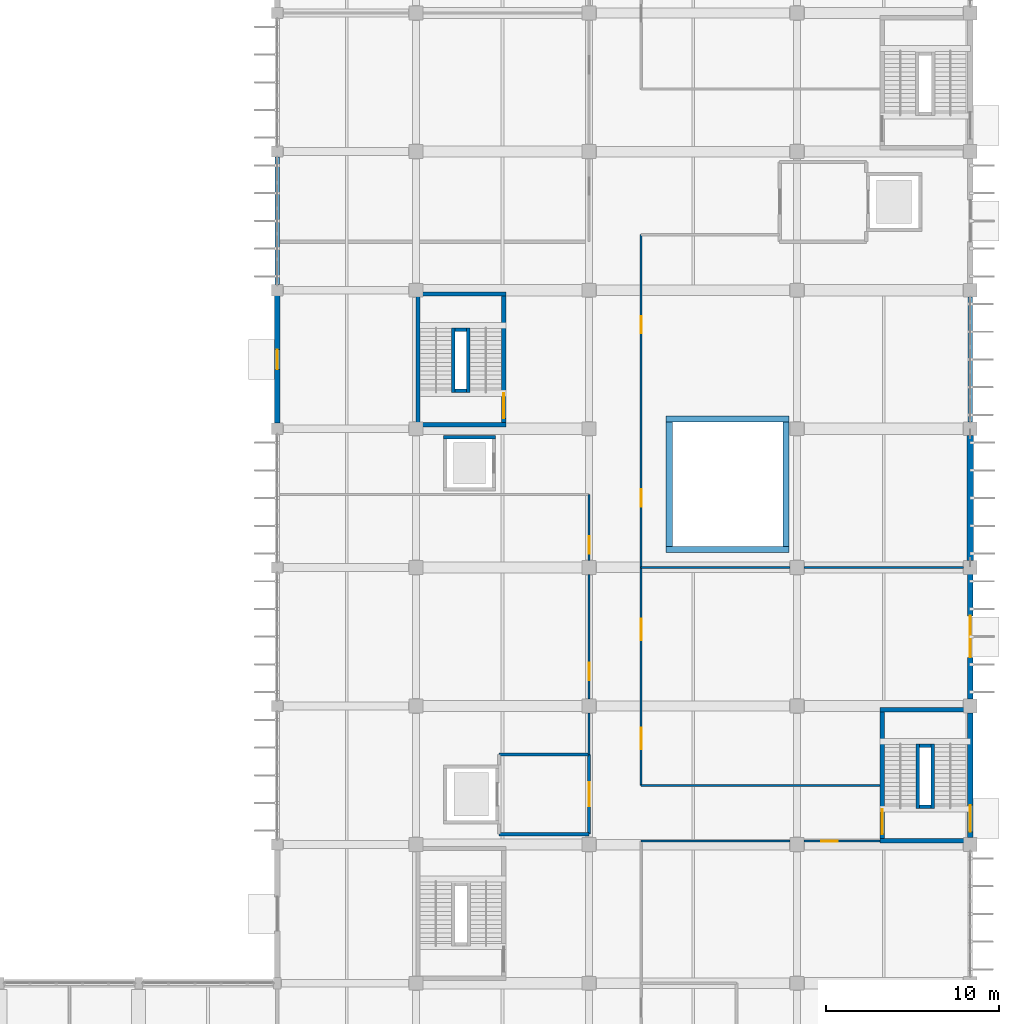
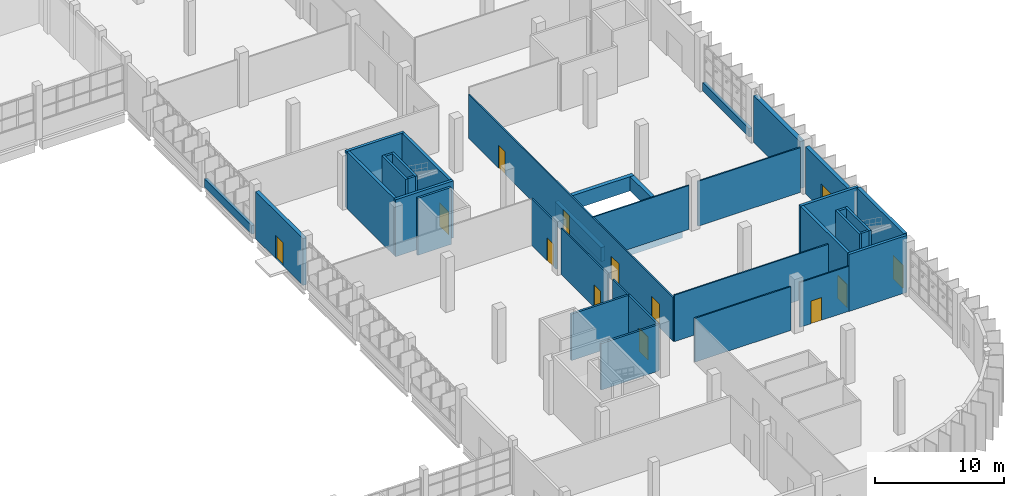
# One storey, part 81 of 103: 38 walls, 13 doors, 13 openings.
"""IFC4 building model written with IfcOpenShell, lengths in metres."""

import ifcopenshell
import ifcopenshell.guid

model = None  # the IFC model being written
_history = None  # IfcOwnerHistory: only IFC2X3 demands one
_inside = {}  # id of a spatial element -> (the spatial element, [elements in it])
_under = {}  # id of a project, library or spatial element -> (it, [spatial elements below it])
_declared = {}  # id of a project -> (the project, [libraries it declares])
_typed = {}  # id of a type object -> (the type object, [elements of that type])
_made_of = {}  # id of a material, layer set ... -> (it, [elements and type objects made of it])


def new_model(schema):
    """Start an empty IFC model of exactly this schema.

    Asked for "IFC4X3", IfcOpenShell would pick the latest addendum, in which some entities
    have other attributes; the version numbers below select the first issue.
    IFC2X3 requires an IfcOwnerHistory on every rooted entity: one is made here for all.
    """
    global model, _history
    if schema == "IFC4X3":
        model = ifcopenshell.file(schema_version=(4, 3, 0, 0))
    else:
        model = ifcopenshell.file(schema=schema)
    _inside.clear()
    _under.clear()
    _declared.clear()
    _typed.clear()
    _made_of.clear()
    _history = None
    if model.schema == "IFC2X3":
        org = make("IfcOrganization", Name="unknown")
        user = make(
            "IfcPersonAndOrganization",
            ThePerson=make("IfcPerson", FamilyName="unknown"),
            TheOrganization=org,
        )
        app = make(
            "IfcApplication",
            ApplicationDeveloper=org,
            Version="unknown",
            ApplicationFullName="unknown",
            ApplicationIdentifier="unknown",
        )
        _history = make(
            "IfcOwnerHistory",
            OwningUser=user,
            OwningApplication=app,
            ChangeAction="ADDED",
            CreationDate=0,
        )
    return model


def make(cls, **values):
    """One entity of the class cls with the attributes given. An attribute that is None is left unset."""
    return model.create_entity(
        cls, **{name: value for name, value in values.items() if value is not None}
    )


def rooted(cls, **values):
    """An entity with a GlobalId (a new one), such as an element, a storey or a relation."""
    return make(cls, GlobalId=ifcopenshell.guid.new(), OwnerHistory=_history, **values)


def si_unit(unit_type, name, prefix=None):
    """IfcSIUnit, for example si_unit("LENGTHUNIT", "METRE", prefix="MILLI")."""
    return make("IfcSIUnit", UnitType=unit_type, Prefix=prefix, Name=name)


def assignment(units):
    """IfcUnitAssignment: the units of a project."""
    return None if units is None else make("IfcUnitAssignment", Units=units)


def point(xyz):
    """IfcCartesianPoint."""
    return None if xyz is None else make("IfcCartesianPoint", Coordinates=xyz)


def direction(xyz):
    """IfcDirection."""
    return None if xyz is None else make("IfcDirection", DirectionRatios=xyz)


def frame(location, z_axis=None, x_axis=None):
    """IfcAxis2Placement3D, a coordinate frame: its origin and axes. An axis left out is left unset."""
    return make(
        "IfcAxis2Placement3D",
        Location=point(location),
        Axis=direction(z_axis),
        RefDirection=direction(x_axis),
    )


def frame_2d(location, x_axis=None):
    """IfcAxis2Placement2D, a coordinate frame in the plane: its origin and x axis."""
    return make(
        "IfcAxis2Placement2D", Location=point(location), RefDirection=direction(x_axis)
    )


def origin():
    """The frame at (0, 0, 0) with its axes left unset."""
    return frame((0.0, 0.0, 0.0))


def place(relative_to, where):
    """IfcLocalPlacement: puts the frame where relative to a parent placement (None: the world)."""
    return make(
        "IfcLocalPlacement", PlacementRelTo=relative_to, RelativePlacement=where
    )


def context(
    kind, dimensions, precision=None, world=None, true_north=None, identifier=None
):
    """IfcGeometricRepresentationContext, for example the 3D "Model" context."""
    return make(
        "IfcGeometricRepresentationContext",
        ContextIdentifier=identifier,
        ContextType=kind,
        CoordinateSpaceDimension=dimensions,
        Precision=precision,
        WorldCoordinateSystem=world,
        TrueNorth=true_north,
    )


def subcontext(parent, identifier, kind, view, scale=None):
    """IfcGeometricRepresentationSubContext, for example "Body" below "Model"."""
    return make(
        "IfcGeometricRepresentationSubContext",
        ContextIdentifier=identifier,
        ContextType=kind,
        ParentContext=parent,
        TargetScale=scale,
        TargetView=view,
    )


def project(units=None, contexts=None):
    """IfcProject with its units and contexts."""
    return rooted(
        "IfcProject",
        Name="project",
        RepresentationContexts=contexts,
        UnitsInContext=assignment(units),
    )


def spatial(cls, under=None, at=None, **own):
    """A site, building, storey or space (cls), placed at a placement, below another one or the project."""
    s = rooted(cls, ObjectPlacement=at, **own)
    if under is not None:
        _under.setdefault(under.id(), (under, []))[1].append(s)
    return s


def profile(cls, at=None, kind="AREA", **sizes):
    """A parametric profile (cls). Its sizes go by their IFC names, for example OverallWidth=200.0."""
    return make(cls, ProfileType=kind, Position=at, **sizes)


def rectangle(**sizes):
    """IfcRectangleProfileDef."""
    return profile("IfcRectangleProfileDef", **sizes)


def extrude(swept, where, along, depth):
    """IfcExtrudedAreaSolid: the profile swept, set in the frame where, extruded along a direction by depth."""
    return make(
        "IfcExtrudedAreaSolid",
        SweptArea=swept,
        Position=where,
        ExtrudedDirection=direction(along),
        Depth=depth,
    )


def shape(context_of_items, identifier, shape_type, items):
    """IfcShapeRepresentation: the items that make up one representation, for example the "Body"."""
    return make(
        "IfcShapeRepresentation",
        ContextOfItems=context_of_items,
        RepresentationIdentifier=identifier,
        RepresentationType=shape_type,
        Items=items,
    )


def material(Name=None, Category=None):
    """IfcMaterial."""
    return make("IfcMaterial", Name=Name, Category=Category)


def layer(
    of_material, thickness, ventilated=None, Name=None, Category=None, Priority=None
):
    """IfcMaterialLayer: one layer of a wall or slab, of a material (None: an air gap)."""
    return make(
        "IfcMaterialLayer",
        Material=of_material,
        LayerThickness=thickness,
        IsVentilated=ventilated,
        Name=Name,
        Category=Category,
        Priority=Priority,
    )


def layer_set(layers, Name=None):
    """IfcMaterialLayerSet."""
    return make("IfcMaterialLayerSet", MaterialLayers=layers, LayerSetName=Name)


def made_of(thing, what):
    """Note that an element or type object is made of a material, layer set ...; save() writes the relation."""
    if what is not None:
        _made_of.setdefault(what.id(), (what, []))[1].append(thing)
    return thing


def type_object(cls, material=None, **own):
    """A type object (cls), such as IfcWallType, which elements share."""
    return made_of(rooted(cls, **own), material)


def element(
    cls,
    number,
    at=None,
    inside=None,
    cuts=None,
    type_object=None,
    material=None,
    context=None,
    identifier="Body",
    shape_type=None,
    held_by="IfcProductDefinitionShape",
    body=None,
    shapes=None,
    **own,
):
    """One element of the class cls, such as IfcWall. Its Tag is "e" and its number.

    at: its placement. inside: the storey or other place that contains it. cuts: it is an
    opening in that element (IfcRelVoidsElement). A single representation is given by context,
    identifier, shape_type and body (its items); several are given by shapes. held_by: the class
    of the entity that holds the representations. save() writes the other relations.
    """
    e = rooted(cls, Tag="e%d" % number, ObjectPlacement=at, **own)
    if body is not None:
        shapes = [shape(context, identifier, shape_type, body)]
    if shapes is not None:
        e.Representation = make(held_by, Representations=shapes)
    if inside is not None:
        _inside.setdefault(inside.id(), (inside, []))[1].append(e)
    if cuts is not None:
        rooted(
            "IfcRelVoidsElement", RelatingBuildingElement=cuts, RelatedOpeningElement=e
        )
    if type_object is not None:
        _typed.setdefault(type_object.id(), (type_object, []))[1].append(e)
    return made_of(e, material)


def fill(opening, filler):
    """IfcRelFillsElement: the door or window that sits in an opening."""
    return rooted(
        "IfcRelFillsElement",
        RelatingOpeningElement=opening,
        RelatedBuildingElement=filler,
    )


def aggregate(whole, parts):
    """IfcRelAggregates: a whole, such as a stair, and the parts it consists of."""
    return rooted("IfcRelAggregates", RelatingObject=whole, RelatedObjects=parts)


def save(model, path):
    """Write the relations noted so far, then the file.

    IfcRelAggregates (storeys below a building ...), IfcRelContainedInSpatialStructure (elements
    in a storey), IfcRelDefinesByType, IfcRelAssociatesMaterial and IfcRelDeclares: one each for
    every whole, place, type object, material and project.
    """
    for whole, parts in _under.values():
        aggregate(whole, parts)
    for where, things in _inside.values():
        rooted(
            "IfcRelContainedInSpatialStructure",
            RelatedElements=things,
            RelatingStructure=where,
        )
    for kind, things in _typed.values():
        rooted("IfcRelDefinesByType", RelatedObjects=things, RelatingType=kind)
    for what, things in _made_of.values():
        rooted("IfcRelAssociatesMaterial", RelatedObjects=things, RelatingMaterial=what)
    for by, libraries in _declared.values():
        rooted("IfcRelDeclares", RelatingContext=by, RelatedDefinitions=libraries)
    model.write(path)


model = new_model("IFC4")

# Units and contexts
model_context = context("Model", 3, precision=1e-05, world=origin(), true_north=direction((0.0, 1.0)))
body_context = subcontext(model_context, "Body", "Model", "MODEL_VIEW")
ifc_project = project(units=[si_unit("LENGTHUNIT", "METRE"), si_unit("AREAUNIT", "SQUARE_METRE"), si_unit("VOLUMEUNIT", "CUBIC_METRE"), si_unit("PLANEANGLEUNIT", "RADIAN"), si_unit("MASSUNIT", "GRAM", prefix="KILO")], contexts=[model_context])

# Site, building, storey
site_placement = place(None, origin())
site = spatial("IfcSite", under=ifc_project, at=site_placement, CompositionType="ELEMENT")
building_placement = place(site_placement, origin())
building = spatial("IfcBuilding", under=site, at=building_placement, Name="Drelvana Railside Aquatics Centre", CompositionType="ELEMENT")
storey_placement = place(building_placement, origin())
storey = spatial("IfcBuildingStorey", under=building, at=storey_placement, Name="L00", CompositionType="ELEMENT", Elevation=0.0)

# Walls
ifc_material_1 = material(Name="Concrete blockwork compartment wall", Category="masonry")
ifc_layer_1 = layer(ifc_material_1, 0.18505859375, Name="Concrete blockwork compartment wall")
ifc_layer_set_1 = layer_set([ifc_layer_1], Name="Concrete blockwork compartment wall")
wall_type_1 = type_object("IfcWallType", Name="WL-COMP-185", PredefinedType="STANDARD", material=ifc_layer_set_1)
for number, where, z_axis, x_axis, name in (
    (1, (162.0, 32.60009765625, 0.0), (0.0, 0.0, 1.0), (-1.0, 0.0, 0.0), "Firefighting lobby FL-01 S wall (L00)"),
    (2, (156.800048828125, 37.199951171875, 0.0), (0.0, 0.0, 1.0), (1.0, 0.0, 0.0), "Firefighting lobby FL-01 N wall (L00)"),
):
    element("IfcWall", number, at=place(storey_placement, frame(where, z_axis=z_axis, x_axis=x_axis)), inside=storey, type_object=wall_type_1, Name=name, PredefinedType="STANDARD", context=body_context, shape_type="SweptSolid", body=[
        extrude(rectangle(XDim=5.199951171875, YDim=0.18505859375, at=frame_2d((2.60009765625, 0.0))), origin(), (0.0, 0.0, 1.0), 4.405029296875),
    ])

# Wall, opening, door
wall_1_placement = place(storey_placement, frame((162.0, 32.60009765625, 0.0), z_axis=(0.0, 0.0, 1.0), x_axis=(0.0, 1.0, 0.0)))
wall_1 = element("IfcWall", 3, at=wall_1_placement, inside=storey, type_object=wall_type_1, Name="Firefighting lobby FL-01 COR wall (L00)", PredefinedType="STANDARD", context=body_context, shape_type="SweptSolid", body=[
    extrude(rectangle(XDim=4.599853515625, YDim=0.18505859375, at=frame_2d((2.2998046875, 0.0))), origin(), (0.0, 0.0, 1.0), 4.405029296875),
])
opening_1_placement = place(wall_1_placement, frame((1.60009765625, 0.0, 0.0)))
opening_1 = element("IfcOpeningElement", 4, at=opening_1_placement, cuts=wall_1, Name="Opening D-03-044", PredefinedType="OPENING", context=body_context, shape_type="SweptSolid", body=[
    extrude(rectangle(XDim=1.39990234375, YDim=2.199951171875, at=frame_2d((0.699951171875, 1.10009765625))), frame((0.0, 0.1025390625, 0.0), z_axis=(0.0, -1.0, 0.0), x_axis=(1.0, 0.0, 0.0)), (0.0, 0.0, 1.0), 0.205078125),
])
ifc_material_2 = material(Name="Firefighting lobby door", Category="wood")
door_type_1 = type_object("IfcDoorType", Name="DR-INT-FFLOB-1400x2200", OperationType="DOUBLE_DOOR_SINGLE_SWING", PredefinedType="DOOR", material=ifc_material_2)
door_1_placement = place(opening_1_placement, origin())
door_1 = element("IfcDoor", 5, at=door_1_placement, inside=storey, type_object=door_type_1, Name="Firefighting lobby FL-01 door D-03-044", OperationType="DOUBLE_DOOR_SINGLE_SWING", OverallHeight=2.199951171875, OverallWidth=1.39990234375, PredefinedType="DOOR", context=body_context, shape_type="SweptSolid", body=[
    extrude(rectangle(XDim=1.39990234375, YDim=2.199951171875, at=frame_2d((0.699951171875, 1.10009765625))), frame((0.0, 0.02490234375, 0.0), z_axis=(0.0, -1.0, 0.0), x_axis=(1.0, 0.0, 0.0)), (0.0, 0.0, 1.0), 0.050048828125),
])
fill(opening_1, door_1)

# Walls
ifc_material_3 = material(Name="Concrete C40/50", Category="concrete")
ifc_layer_2 = layer(ifc_material_3, 0.25, Name="Concrete C40/50")
ifc_layer_set_2 = layer_set([ifc_layer_2], Name="Concrete C40/50")
wall_type_2 = type_object("IfcWallType", Name="WL-CORE-250", PredefinedType="SHEAR", material=ifc_layer_set_2)
for number, where, z_axis, x_axis, name in (
    (6, (152.0, 56.22509765625, 0.0), (0.0, 0.0, 1.0), (1.0, 0.0, 0.0), "Core 8 Federation Wing Central-West S core wall (L00)"),
    (7, (152.0, 63.77490234375, 0.0), (0.0, 0.0, 1.0), (1.0, 0.0, 0.0), "Core 8 Federation Wing Central-West N core wall (L00)"),
):
    element("IfcWall", number, at=place(storey_placement, frame(where, z_axis=z_axis, x_axis=x_axis)), inside=storey, type_object=wall_type_2, Name=name, PredefinedType="SHEAR", context=body_context, shape_type="SweptSolid", body=[
        extrude(rectangle(XDim=5.199951171875, YDim=0.25, at=frame_2d((2.60009765625, 0.0))), origin(), (0.0, 0.0, 1.0), 5.39990234375),
    ])
wall_2_placement = place(storey_placement, frame((152.125, 56.35009765625, 0.0), z_axis=(0.0, 0.0, 1.0), x_axis=(0.0, 1.0, 0.0)))
element("IfcWall", 8, at=wall_2_placement, inside=storey, type_object=wall_type_2, Name="Core 8 Federation Wing Central-West W core wall (L00)", PredefinedType="SHEAR", context=body_context, shape_type="SweptSolid", body=[
    extrude(rectangle(XDim=7.2998046875, YDim=0.25, at=frame_2d((3.64990234375, 0.0))), origin(), (0.0, 0.0, 1.0), 5.39990234375),
])

# Wall, opening, door
wall_3_placement = place(storey_placement, frame((157.074951171875, 56.35009765625, 0.0), z_axis=(0.0, 0.0, 1.0), x_axis=(0.0, 1.0, 0.0)))
wall_3 = element("IfcWall", 9, at=wall_3_placement, inside=storey, type_object=wall_type_2, Name="Core 8 Federation Wing Central-West E core wall (L00)", PredefinedType="SHEAR", context=body_context, shape_type="SweptSolid", body=[
    extrude(rectangle(XDim=7.2998046875, YDim=0.25, at=frame_2d((3.64990234375, 0.0))), origin(), (0.0, 0.0, 1.0), 5.39990234375),
])
opening_2_placement = place(wall_3_placement, frame((0.25, 0.0, 0.0)))
opening_2 = element("IfcOpeningElement", 10, at=opening_2_placement, cuts=wall_3, Name="Opening D-01-072", PredefinedType="OPENING", context=body_context, shape_type="SweptSolid", body=[
    extrude(rectangle(XDim=1.449951171875, YDim=2.199951171875, at=frame_2d((0.72509765625, 1.10009765625))), frame((0.0, 0.135009765625, 0.0), z_axis=(0.0, -1.0, 0.0), x_axis=(1.0, 0.0, 0.0)), (0.0, 0.0, 1.0), 0.27001953125),
])
ifc_material_4 = material(Name="Fire-rated steel and vision-panel door", Category="steel")
door_type_2 = type_object("IfcDoorType", Name="DR-INT-STAIR-1450x2200", OperationType="DOUBLE_DOOR_SINGLE_SWING", PredefinedType="DOOR", material=ifc_material_4)
door_2_placement = place(opening_2_placement, origin())
door_2 = element("IfcDoor", 11, at=door_2_placement, inside=storey, type_object=door_type_2, Name="Stair ST-08 lobby door D-01-072", OperationType="DOUBLE_DOOR_SINGLE_SWING", OverallHeight=2.199951171875, OverallWidth=1.449951171875, PredefinedType="DOOR", context=body_context, shape_type="SweptSolid", body=[
    extrude(rectangle(XDim=1.449951171875, YDim=2.199951171875, at=frame_2d((0.72509765625, 1.10009765625))), frame((0.0, 0.02490234375, 0.0), z_axis=(0.0, -1.0, 0.0), x_axis=(1.0, 0.0, 0.0)), (0.0, 0.0, 1.0), 0.050048828125),
])
fill(opening_2, door_2)

# Walls
for number, where, z_axis, x_axis, name in (
    (12, (178.800048828125, 32.22509765625, 0.0), (0.0, 0.0, 1.0), (1.0, 0.0, 0.0), "Core 9 Federation Wing Avenue-South S core wall (L00)"),
    (13, (178.800048828125, 39.77490234375, 0.0), (0.0, 0.0, 1.0), (1.0, 0.0, 0.0), "Core 9 Federation Wing Avenue-South N core wall (L00)"),
):
    element("IfcWall", number, at=place(storey_placement, frame(where, z_axis=z_axis, x_axis=x_axis)), inside=storey, type_object=wall_type_2, Name=name, PredefinedType="SHEAR", context=body_context, shape_type="SweptSolid", body=[
        extrude(rectangle(XDim=5.199951171875, YDim=0.25, at=frame_2d((2.60009765625, 0.0))), origin(), (0.0, 0.0, 1.0), 5.39990234375),
    ])

# Wall, opening, door
wall_4_placement = place(storey_placement, frame((178.925048828125, 32.35009765625, 0.0), z_axis=(0.0, 0.0, 1.0), x_axis=(0.0, 1.0, 0.0)))
wall_4 = element("IfcWall", 14, at=wall_4_placement, inside=storey, type_object=wall_type_2, Name="Core 9 Federation Wing Avenue-South W core wall (L00)", PredefinedType="SHEAR", context=body_context, shape_type="SweptSolid", body=[
    extrude(rectangle(XDim=7.2998046875, YDim=0.25, at=frame_2d((3.64990234375, 0.0))), origin(), (0.0, 0.0, 1.0), 5.39990234375),
])
opening_3_placement = place(wall_4_placement, frame((0.25, 0.0, 0.0)))
opening_3 = element("IfcOpeningElement", 15, at=opening_3_placement, cuts=wall_4, Name="Opening D-01-084", PredefinedType="OPENING", context=body_context, shape_type="SweptSolid", body=[
    extrude(rectangle(XDim=1.449951171875, YDim=2.199951171875, at=frame_2d((0.72509765625, 1.10009765625))), frame((0.0, 0.135009765625, 0.0), z_axis=(0.0, -1.0, 0.0), x_axis=(1.0, 0.0, 0.0)), (0.0, 0.0, 1.0), 0.27001953125),
])
door_3_placement = place(opening_3_placement, origin())
door_3 = element("IfcDoor", 16, at=door_3_placement, inside=storey, type_object=door_type_2, Name="Stair ST-09 lobby door D-01-084", OperationType="DOUBLE_DOOR_SINGLE_SWING", OverallHeight=2.199951171875, OverallWidth=1.449951171875, PredefinedType="DOOR", context=body_context, shape_type="SweptSolid", body=[
    extrude(rectangle(XDim=1.449951171875, YDim=2.199951171875, at=frame_2d((0.72509765625, 1.10009765625))), frame((0.0, 0.02490234375, 0.0), z_axis=(0.0, -1.0, 0.0), x_axis=(1.0, 0.0, 0.0)), (0.0, 0.0, 1.0), 0.050048828125),
])
fill(opening_3, door_3)

ifc_layer_3 = layer(ifc_material_3, 0.300048828125, Name="Concrete C40/50")
ifc_layer_set_3 = layer_set([ifc_layer_3], Name="Concrete C40/50")
wall_type_3 = type_object("IfcWallType", Name="WL-CORE-300", PredefinedType="SHEAR", material=ifc_layer_set_3)
wall_5_placement = place(storey_placement, frame((184.0, 32.39599609375, 0.0), z_axis=(0.0, 0.0, 1.0), x_axis=(0.0, 1.0, 0.0)))
wall_5 = element("IfcWall", 17, at=wall_5_placement, inside=storey, type_object=wall_type_3, Name="Core east avenue shear wall 32 (L00)", PredefinedType="SHEAR", context=body_context, shape_type="SweptSolid", body=[
    extrude(rectangle(XDim=7.2080078125, YDim=0.300048828125, at=frame_2d((3.60400390625, 0.0))), origin(), (0.0, 0.0, 1.0), 5.39990234375),
])
opening_4_placement = place(wall_5_placement, frame((0.333984375, 0.0, 0.0)))
opening_4 = element("IfcOpeningElement", 18, at=opening_4_placement, cuts=wall_5, Name="Opening EX-03-023", PredefinedType="OPENING", context=body_context, shape_type="SweptSolid", body=[
    extrude(rectangle(XDim=1.550048828125, YDim=2.199951171875, at=frame_2d((0.77490234375, 1.10009765625))), frame((0.0, 0.159912109375, 0.0), z_axis=(0.0, -1.0, 0.0), x_axis=(1.0, 0.0, 0.0)), (0.0, 0.0, 1.0), 0.320068359375),
])
ifc_material_5 = material(Name="Thermally broken bronze-anodised aluminium and glazed door", Category="aluminium")
door_type_3 = type_object("IfcDoorType", Name="DR-EXT-EXIT-1550x2200", OperationType="DOUBLE_DOOR_SINGLE_SWING", PredefinedType="DOOR", material=ifc_material_5)
door_4_placement = place(opening_4_placement, frame((1.550048828125, 0.0, 0.0), z_axis=(0.0, 0.0, 1.0), x_axis=(-1.0, 0.0, 0.0)))
door_4 = element("IfcDoor", 19, at=door_4_placement, inside=storey, type_object=door_type_3, Name="Stair east final exit door 32 EX-03-023", OperationType="DOUBLE_DOOR_SINGLE_SWING", OverallHeight=2.199951171875, OverallWidth=1.550048828125, PredefinedType="DOOR", context=body_context, shape_type="SweptSolid", body=[
    extrude(rectangle(XDim=1.550048828125, YDim=2.199951171875, at=frame_2d((0.77490234375, 1.10009765625))), frame((0.0, 0.02490234375, 0.0), z_axis=(0.0, -1.0, 0.0), x_axis=(1.0, 0.0, 0.0)), (0.0, 0.0, 1.0), 0.050048828125),
])
fill(opening_4, door_4)

# Wall
ifc_material_6 = material(Name="Acoustic twin-stud gypsum partition", Category="gypsum")
ifc_layer_4 = layer(ifc_material_6, 0.1201171875, Name="Acoustic twin-stud gypsum partition")
ifc_layer_set_4 = layer_set([ifc_layer_4], Name="Acoustic twin-stud gypsum partition")
wall_type_4 = type_object("IfcWallType", Name="WL-DRY-120", PredefinedType="PARTITIONING", material=ifc_layer_set_4)
wall_6_placement = place(storey_placement, frame((162.0, 37.199951171875, 0.0), z_axis=(0.0, 0.0, 1.0), x_axis=(0.0, 1.0, 0.0)))
element("IfcWall", 20, at=wall_6_placement, inside=storey, type_object=wall_type_4, Name="V5 L00 west corridor wall", PredefinedType="PARTITIONING", context=body_context, shape_type="SweptSolid", body=[
    extrude(rectangle(XDim=2.39794921875, YDim=0.1201171875, at=frame_2d((1.198974609375, 0.0))), origin(), (0.0, 0.0, 1.0), 4.405029296875),
])

# Wall, opening, door
wall_7_placement = place(storey_placement, frame((162.0, 40.402099609375, 0.0), z_axis=(0.0, 0.0, 1.0), x_axis=(0.0, 1.0, 0.0)))
wall_7 = element("IfcWall", 21, at=wall_7_placement, inside=storey, type_object=wall_type_4, Name="V5 L00 west corridor wall", PredefinedType="PARTITIONING", context=body_context, shape_type="SweptSolid", body=[
    extrude(rectangle(XDim=7.19580078125, YDim=0.1201171875, at=frame_2d((3.597900390625, 0.0))), origin(), (0.0, 0.0, 1.0), 4.405029296875),
])
opening_5_placement = place(wall_7_placement, frame((1.097900390625, 0.0, 0.0)))
opening_5 = element("IfcOpeningElement", 22, at=opening_5_placement, cuts=wall_7, Name="Opening D-09-194", PredefinedType="OPENING", context=body_context, shape_type="SweptSolid", body=[
    extrude(rectangle(XDim=1.0, YDim=2.14990234375, at=frame_2d((0.5, 1.074951171875))), frame((0.0, 0.070068359375, 0.0), z_axis=(0.0, -1.0, 0.0), x_axis=(1.0, 0.0, 0.0)), (0.0, 0.0, 1.0), 0.14013671875),
])
ifc_material_7 = material(Name="Hardwood acoustic room door", Category="wood")
door_type_4 = type_object("IfcDoorType", Name="DR-INT-ROOM-1000x2150", OperationType="NOTDEFINED", PredefinedType="DOOR", material=ifc_material_7)
door_5_placement = place(opening_5_placement, origin())
door_5 = element("IfcDoor", 23, at=door_5_placement, inside=storey, type_object=door_type_4, Name="Physiotherapy suite south door D-09-194", OperationType="SINGLE_SWING_RIGHT", OverallHeight=2.14990234375, OverallWidth=1.0, PredefinedType="DOOR", context=body_context, shape_type="SweptSolid", body=[
    extrude(rectangle(XDim=1.0, YDim=2.14990234375, at=frame_2d((0.5, 1.074951171875))), frame((0.0, 0.02490234375, 0.0), z_axis=(0.0, -1.0, 0.0), x_axis=(1.0, 0.0, 0.0)), (0.0, 0.0, 1.0), 0.050048828125),
])
fill(opening_5, door_5)

wall_8_placement = place(storey_placement, frame((162.0, 48.402099609375, 0.0), z_axis=(0.0, 0.0, 1.0), x_axis=(0.0, 1.0, 0.0)))
wall_8 = element("IfcWall", 24, at=wall_8_placement, inside=storey, type_object=wall_type_4, Name="V5 L00 west corridor wall", PredefinedType="PARTITIONING", context=body_context, shape_type="SweptSolid", body=[
    extrude(rectangle(XDim=3.7978515625, YDim=0.1201171875, at=frame_2d((1.89892578125, 0.0))), origin(), (0.0, 0.0, 1.0), 4.405029296875),
])
opening_6_placement = place(wall_8_placement, frame((0.39794921875, 0.0, 0.0)))
opening_6 = element("IfcOpeningElement", 25, at=opening_6_placement, cuts=wall_8, Name="Opening D-09-195", PredefinedType="OPENING", context=body_context, shape_type="SweptSolid", body=[
    extrude(rectangle(XDim=1.0, YDim=2.14990234375, at=frame_2d((0.5, 1.074951171875))), frame((0.0, 0.070068359375, 0.0), z_axis=(0.0, -1.0, 0.0), x_axis=(1.0, 0.0, 0.0)), (0.0, 0.0, 1.0), 0.14013671875),
])
door_6_placement = place(opening_6_placement, origin())
door_6 = element("IfcDoor", 26, at=door_6_placement, inside=storey, type_object=door_type_4, Name="Physiotherapy suite north door D-09-195", OperationType="SINGLE_SWING_LEFT", OverallHeight=2.14990234375, OverallWidth=1.0, PredefinedType="DOOR", context=body_context, shape_type="SweptSolid", body=[
    extrude(rectangle(XDim=1.0, YDim=2.14990234375, at=frame_2d((0.5, 1.074951171875))), frame((0.0, 0.02490234375, 0.0), z_axis=(0.0, -1.0, 0.0), x_axis=(1.0, 0.0, 0.0)), (0.0, 0.0, 1.0), 0.050048828125),
])
fill(opening_6, door_6)

# Wall, openings, doors
wall_9_placement = place(storey_placement, frame((165.0, 35.39990234375, 0.0), z_axis=(0.0, 0.0, 1.0), x_axis=(0.0, 1.0, 0.0)))
wall_9 = element("IfcWall", 27, at=wall_9_placement, inside=storey, type_object=wall_type_4, Name="V5 L00 east corridor wall", PredefinedType="PARTITIONING", context=body_context, shape_type="SweptSolid", body=[
    extrude(rectangle(XDim=31.800048828125, YDim=0.1201171875, at=frame_2d((15.89990234375, 0.0))), origin(), (0.0, 0.0, 1.0), 4.155029296875),
])
opening_7_placement = place(wall_9_placement, frame((2.10009765625, 0.0, 0.0)))
opening_7 = element("IfcOpeningElement", 28, at=opening_7_placement, cuts=wall_9, Name="Opening D-20-203", PredefinedType="OPENING", context=body_context, shape_type="SweptSolid", body=[
    extrude(rectangle(XDim=1.25, YDim=2.25, at=frame_2d((0.625, 1.125))), frame((0.0, 0.070068359375, 0.0), z_axis=(0.0, -1.0, 0.0), x_axis=(1.0, 0.0, 0.0)), (0.0, 0.0, 1.0), 0.14013671875),
])
opening_8_placement = place(wall_9_placement, frame((8.39990234375, 0.0, 0.0)))
opening_8 = element("IfcOpeningElement", 29, at=opening_8_placement, cuts=wall_9, Name="Opening D-20-204", PredefinedType="OPENING", context=body_context, shape_type="SweptSolid", body=[
    extrude(rectangle(XDim=1.25, YDim=2.25, at=frame_2d((0.625, 1.125))), frame((0.0, 0.070068359375, 0.0), z_axis=(0.0, -1.0, 0.0), x_axis=(1.0, 0.0, 0.0)), (0.0, 0.0, 1.0), 0.14013671875),
])
opening_9_placement = place(wall_9_placement, frame((16.10009765625, 0.0, 0.0)))
opening_9 = element("IfcOpeningElement", 30, at=opening_9_placement, cuts=wall_9, Name="Opening D-09-205", PredefinedType="OPENING", context=body_context, shape_type="SweptSolid", body=[
    extrude(rectangle(XDim=1.0, YDim=2.14990234375, at=frame_2d((0.5, 1.074951171875))), frame((0.0, 0.070068359375, 0.0), z_axis=(0.0, -1.0, 0.0), x_axis=(1.0, 0.0, 0.0)), (0.0, 0.0, 1.0), 0.14013671875),
])
opening_10_placement = place(wall_9_placement, frame((26.10009765625, 0.0, 0.0)))
opening_10 = element("IfcOpeningElement", 31, at=opening_10_placement, cuts=wall_9, Name="Opening D-09-206", PredefinedType="OPENING", context=body_context, shape_type="SweptSolid", body=[
    extrude(rectangle(XDim=1.0, YDim=2.14990234375, at=frame_2d((0.5, 1.074951171875))), frame((0.0, 0.070068359375, 0.0), z_axis=(0.0, -1.0, 0.0), x_axis=(1.0, 0.0, 0.0)), (0.0, 0.0, 1.0), 0.14013671875),
])
door_7_placement = place(opening_9_placement, origin())
door_7 = element("IfcDoor", 32, at=door_7_placement, inside=storey, type_object=door_type_4, Name="Cryotherapy lab south door D-09-205", OperationType="SINGLE_SWING_LEFT", OverallHeight=2.14990234375, OverallWidth=1.0, PredefinedType="DOOR", context=body_context, shape_type="SweptSolid", body=[
    extrude(rectangle(XDim=1.0, YDim=2.14990234375, at=frame_2d((0.5, 1.074951171875))), frame((0.0, 0.02490234375, 0.0), z_axis=(0.0, -1.0, 0.0), x_axis=(1.0, 0.0, 0.0)), (0.0, 0.0, 1.0), 0.050048828125),
])
fill(opening_9, door_7)
door_8_placement = place(opening_10_placement, origin())
door_8 = element("IfcDoor", 33, at=door_8_placement, inside=storey, type_object=door_type_4, Name="Cryotherapy lab north door D-09-206", OperationType="SINGLE_SWING_RIGHT", OverallHeight=2.14990234375, OverallWidth=1.0, PredefinedType="DOOR", context=body_context, shape_type="SweptSolid", body=[
    extrude(rectangle(XDim=1.0, YDim=2.14990234375, at=frame_2d((0.5, 1.074951171875))), frame((0.0, 0.02490234375, 0.0), z_axis=(0.0, -1.0, 0.0), x_axis=(1.0, 0.0, 0.0)), (0.0, 0.0, 1.0), 0.050048828125),
])
fill(opening_10, door_8)
ifc_material_8 = material(Name="Hydrotherapy glazed suite door", Category="wood")
door_type_5 = type_object("IfcDoorType", Name="DR-INT-SPA-1250x2250", OperationType="NOTDEFINED", PredefinedType="DOOR", material=ifc_material_8)
door_9_placement = place(opening_7_placement, origin())
door_9 = element("IfcDoor", 34, at=door_9_placement, inside=storey, type_object=door_type_5, Name="Hydrotherapy suite south door D-20-203", OperationType="SINGLE_SWING_LEFT", OverallHeight=2.25, OverallWidth=1.25, PredefinedType="DOOR", context=body_context, shape_type="SweptSolid", body=[
    extrude(rectangle(XDim=1.25, YDim=2.25, at=frame_2d((0.625, 1.125))), frame((0.0, 0.02490234375, 0.0), z_axis=(0.0, -1.0, 0.0), x_axis=(1.0, 0.0, 0.0)), (0.0, 0.0, 1.0), 0.050048828125),
])
fill(opening_7, door_9)
door_10_placement = place(opening_8_placement, origin())
door_10 = element("IfcDoor", 35, at=door_10_placement, inside=storey, type_object=door_type_5, Name="Hydrotherapy suite north door D-20-204", OperationType="SINGLE_SWING_RIGHT", OverallHeight=2.25, OverallWidth=1.25, PredefinedType="DOOR", context=body_context, shape_type="SweptSolid", body=[
    extrude(rectangle(XDim=1.25, YDim=2.25, at=frame_2d((0.625, 1.125))), frame((0.0, 0.02490234375, 0.0), z_axis=(0.0, -1.0, 0.0), x_axis=(1.0, 0.0, 0.0)), (0.0, 0.0, 1.0), 0.050048828125),
])
fill(opening_8, door_10)

# Wall
wall_10_placement = place(storey_placement, frame((165.0, 32.199951171875, 0.0), z_axis=(0.0, 0.0, 1.0), x_axis=(1.0, 0.0, 0.0)))
element("IfcWall", 36, at=wall_10_placement, inside=storey, type_object=wall_type_4, Name="L00 C9 branch S wall", PredefinedType="PARTITIONING", context=body_context, shape_type="SweptSolid", body=[
    extrude(rectangle(XDim=8.597900390625, YDim=0.1201171875, at=frame_2d((4.298828125, 0.0))), origin(), (0.0, 0.0, 1.0), 4.155029296875),
])

# Wall, opening, door
wall_11_placement = place(storey_placement, frame((174.402099609375, 32.199951171875, 0.0), z_axis=(0.0, 0.0, 1.0), x_axis=(1.0, 0.0, 0.0)))
wall_11 = element("IfcWall", 37, at=wall_11_placement, inside=storey, type_object=wall_type_4, Name="L00 C9 branch S wall", PredefinedType="PARTITIONING", context=body_context, shape_type="SweptSolid", body=[
    extrude(rectangle(XDim=4.39794921875, YDim=0.1201171875, at=frame_2d((2.198974609375, 0.0))), origin(), (0.0, 0.0, 1.0), 4.2548828125),
])
opening_11_placement = place(wall_11_placement, frame((0.998046875, 0.0, 0.0)))
opening_11 = element("IfcOpeningElement", 38, at=opening_11_placement, cuts=wall_11, Name="Opening D-10-209", PredefinedType="OPENING", context=body_context, shape_type="SweptSolid", body=[
    extrude(rectangle(XDim=0.949951171875, YDim=2.14990234375, at=frame_2d((0.47509765625, 1.074951171875))), frame((0.0, 0.070068359375, 0.0), z_axis=(0.0, -1.0, 0.0), x_axis=(1.0, 0.0, 0.0)), (0.0, 0.0, 1.0), 0.14013671875),
])
ifc_material_9 = material(Name="Timber veneer office door", Category="wood")
door_type_6 = type_object("IfcDoorType", Name="DR-INT-OFF-950x2150", OperationType="NOTDEFINED", PredefinedType="DOOR", material=ifc_material_9)
door_11_placement = place(opening_11_placement, origin())
door_11 = element("IfcDoor", 39, at=door_11_placement, inside=storey, type_object=door_type_6, Name="Medical consultation office door D-10-209", OperationType="SINGLE_SWING_LEFT", OverallHeight=2.14990234375, OverallWidth=0.949951171875, PredefinedType="DOOR", context=body_context, shape_type="SweptSolid", body=[
    extrude(rectangle(XDim=0.949951171875, YDim=2.14990234375, at=frame_2d((0.47509765625, 1.074951171875))), frame((0.0, 0.02490234375, 0.0), z_axis=(0.0, -1.0, 0.0), x_axis=(1.0, 0.0, 0.0)), (0.0, 0.0, 1.0), 0.050048828125),
])
fill(opening_11, door_11)

# Walls
wall_12_placement = place(storey_placement, frame((165.0, 35.39990234375, 0.0), z_axis=(0.0, 0.0, 1.0), x_axis=(1.0, 0.0, 0.0)))
element("IfcWall", 40, at=wall_12_placement, inside=storey, type_object=wall_type_4, Name="L00 C9 branch N wall", PredefinedType="PARTITIONING", context=body_context, shape_type="SweptSolid", body=[
    extrude(rectangle(XDim=13.800048828125, YDim=0.1201171875, at=frame_2d((6.89990234375, 0.0))), origin(), (0.0, 0.0, 1.0), 4.405029296875),
])
wall_13_placement = place(storey_placement, frame((165.0, 48.0, 0.0), z_axis=(0.0, 0.0, 1.0), x_axis=(1.0, 0.0, 0.0)))
element("IfcWall", 41, at=wall_13_placement, inside=storey, type_object=wall_type_4, Name="L00 East room divider", PredefinedType="PARTITIONING", context=body_context, shape_type="SweptSolid", body=[
    extrude(rectangle(XDim=8.597900390625, YDim=0.1201171875, at=frame_2d((4.298828125, 0.0))), origin(), (0.0, 0.0, 1.0), 4.155029296875),
])
wall_14_placement = place(storey_placement, frame((174.402099609375, 48.0, 0.0), z_axis=(0.0, 0.0, 1.0), x_axis=(1.0, 0.0, 0.0)))
element("IfcWall", 42, at=wall_14_placement, inside=storey, type_object=wall_type_4, Name="L00 East room divider", PredefinedType="PARTITIONING", context=body_context, shape_type="SweptSolid", body=[
    extrude(rectangle(XDim=9.19580078125, YDim=0.1201171875, at=frame_2d((4.597900390625, 0.0))), origin(), (0.0, 0.0, 1.0), 4.2548828125),
])
ifc_material_10 = material(Name="Glazed ceramic spandrel wall", Category="masonry")
ifc_layer_5 = layer(ifc_material_10, 0.27001953125, Name="Glazed ceramic spandrel wall")
ifc_layer_set_5 = layer_set([ifc_layer_5], Name="Glazed ceramic spandrel wall")
wall_type_5 = type_object("IfcWallType", Name="WL-EXT-270", PredefinedType="STANDARD", material=ifc_layer_set_5)
wall_15_placement = place(storey_placement, frame((144.0, 64.321044921875, 0.0), z_axis=(0.0, 0.0, 1.0), x_axis=(0.0, 1.0, 0.0)))
element("IfcWall", 43, at=wall_15_placement, inside=storey, type_object=wall_type_5, Name="V5 West L00 sill spandrel", PredefinedType="STANDARD", context=body_context, shape_type="SweptSolid", body=[
    extrude(rectangle(XDim=7.35791015625, YDim=0.27001953125, at=frame_2d((3.678955078125, 0.0))), origin(), (0.0, 0.0, 1.0), 0.800048828125),
])
wall_16_placement = place(storey_placement, frame((184.0, 56.39599609375, 0.0), z_axis=(0.0, 0.0, 1.0), x_axis=(0.0, 1.0, 0.0)))
element("IfcWall", 44, at=wall_16_placement, inside=storey, type_object=wall_type_5, Name="V5 East L00 sill spandrel", PredefinedType="STANDARD", context=body_context, shape_type="SweptSolid", body=[
    extrude(rectangle(XDim=7.2080078125, YDim=0.27001953125, at=frame_2d((3.60400390625, 0.0))), origin(), (0.0, 0.0, 1.0), 0.800048828125),
])

# Wall, opening, door
ifc_material_11 = material(Name="Abuja granite ashlar cavity wall", Category="masonry")
ifc_layer_6 = layer(ifc_material_11, 0.330078125, Name="Abuja granite ashlar cavity wall")
ifc_layer_set_6 = layer_set([ifc_layer_6], Name="Abuja granite ashlar cavity wall")
wall_type_6 = type_object("IfcWallType", Name="WL-EXT-330", PredefinedType="STANDARD", material=ifc_layer_set_6)
wall_17_placement = place(storey_placement, frame((144.0, 56.321044921875, 0.0), z_axis=(0.0, 0.0, 1.0), x_axis=(0.0, 1.0, 0.0)))
wall_17 = element("IfcWall", 45, at=wall_17_placement, inside=storey, type_object=wall_type_6, Name="V5 West rain-court exit bay 56", PredefinedType="STANDARD", context=body_context, shape_type="SweptSolid", body=[
    extrude(rectangle(XDim=7.35791015625, YDim=0.330078125, at=frame_2d((3.678955078125, 0.0))), origin(), (0.0, 0.0, 1.0), 4.449951171875),
])
opening_12_placement = place(wall_17_placement, frame((3.10400390625, 0.0, 0.0)))
opening_12 = element("IfcOpeningElement", 46, at=opening_12_placement, cuts=wall_17, Name="Opening EX-07-019", PredefinedType="OPENING", context=body_context, shape_type="SweptSolid", body=[
    extrude(rectangle(XDim=1.14990234375, YDim=2.199951171875, at=frame_2d((0.574951171875, 1.10009765625))), frame((0.0, 0.175048828125, 0.0), z_axis=(0.0, -1.0, 0.0), x_axis=(1.0, 0.0, 0.0)), (0.0, 0.0, 1.0), 0.35009765625),
])
door_type_7 = type_object("IfcDoorType", Name="DR-EXT-PED-1150x2200", OperationType="NOTDEFINED", PredefinedType="DOOR", material=ifc_material_5)
door_12_placement = place(opening_12_placement, origin())
door_12 = element("IfcDoor", 47, at=door_12_placement, inside=storey, type_object=door_type_7, Name="Rain court wing exit door EX-07-019", OperationType="SINGLE_SWING_RIGHT", OverallHeight=2.199951171875, OverallWidth=1.14990234375, PredefinedType="DOOR", context=body_context, shape_type="SweptSolid", body=[
    extrude(rectangle(XDim=1.14990234375, YDim=2.199951171875, at=frame_2d((0.574951171875, 1.10009765625))), frame((0.0, 0.02490234375, 0.0), z_axis=(0.0, -1.0, 0.0), x_axis=(1.0, 0.0, 0.0)), (0.0, 0.0, 1.0), 0.050048828125),
])
fill(opening_12, door_12)

wall_18_placement = place(storey_placement, frame((184.0, 40.39599609375, 0.0), z_axis=(0.0, 0.0, 1.0), x_axis=(0.0, 1.0, 0.0)))
wall_18 = element("IfcWall", 48, at=wall_18_placement, inside=storey, type_object=wall_type_6, Name="East avenue entrance bay 40", PredefinedType="STANDARD", context=body_context, shape_type="SweptSolid", body=[
    extrude(rectangle(XDim=7.2080078125, YDim=0.330078125, at=frame_2d((3.60400390625, 0.0))), origin(), (0.0, 0.0, 1.0), 4.449951171875),
])
opening_13_placement = place(wall_18_placement, frame((2.404052734375, 0.0, 0.0)))
opening_13 = element("IfcOpeningElement", 49, at=opening_13_placement, cuts=wall_18, Name="Opening EX-02-024", PredefinedType="OPENING", context=body_context, shape_type="SweptSolid", body=[
    extrude(rectangle(XDim=2.39990234375, YDim=2.39990234375, at=frame_2d((1.199951171875, 1.199951171875))), frame((0.0, 0.175048828125, 0.0), z_axis=(0.0, -1.0, 0.0), x_axis=(1.0, 0.0, 0.0)), (0.0, 0.0, 1.0), 0.35009765625),
])
door_type_8 = type_object("IfcDoorType", Name="DR-EXT-FOY-2400x2400", OperationType="DOUBLE_DOOR_SINGLE_SWING", PredefinedType="DOOR", material=ifc_material_5)
door_13_placement = place(opening_13_placement, frame((2.39990234375, 0.0, 0.0), z_axis=(0.0, 0.0, 1.0), x_axis=(-1.0, 0.0, 0.0)))
door_13 = element("IfcDoor", 50, at=door_13_placement, inside=storey, type_object=door_type_8, Name="East avenue entrance door EX-02-024", OperationType="DOUBLE_DOOR_SINGLE_SWING", OverallHeight=2.39990234375, OverallWidth=2.39990234375, PredefinedType="DOOR", context=body_context, shape_type="SweptSolid", body=[
    extrude(rectangle(XDim=2.39990234375, YDim=2.39990234375, at=frame_2d((1.199951171875, 1.199951171875))), frame((0.0, 0.02490234375, 0.0), z_axis=(0.0, -1.0, 0.0), x_axis=(1.0, 0.0, 0.0)), (0.0, 0.0, 1.0), 0.050048828125),
])
fill(opening_13, door_13)

# Walls
ifc_material_12 = material(Name="Heavy thermal-mass stone facade wall", Category="masonry")
ifc_layer_7 = layer(ifc_material_12, 0.389892578125, Name="Heavy thermal-mass stone facade wall")
ifc_layer_set_7 = layer_set([ifc_layer_7], Name="Heavy thermal-mass stone facade wall")
wall_type_7 = type_object("IfcWallType", Name="WL-EXT-390", PredefinedType="STANDARD", material=ifc_layer_set_7)
wall_19_placement = place(storey_placement, frame((184.0, 48.39599609375, 0.0), z_axis=(0.0, 0.0, 1.0), x_axis=(0.0, 1.0, 0.0)))
element("IfcWall", 51, at=wall_19_placement, inside=storey, type_object=wall_type_7, Name="V5 East braced masonry bay (L00)", PredefinedType="STANDARD", context=body_context, shape_type="SweptSolid", body=[
    extrude(rectangle(XDim=7.2080078125, YDim=0.389892578125, at=frame_2d((3.60400390625, 0.0))), origin(), (0.0, 0.0, 1.0), 4.449951171875),
])
ifc_layer_8 = layer(ifc_material_3, 0.199951171875, Name="Concrete C40/50")
ifc_layer_set_8 = layer_set([ifc_layer_8], Name="Concrete C40/50")
wall_type_8 = type_object("IfcWallType", Name="WL-SHFT-200", PredefinedType="SHEAR", material=ifc_layer_set_8)
for number, where, z_axis, x_axis, name in (
    (52, (154.169921875, 58.090087890625, 0.0), (0.0, 0.0, 1.0), (0.0, 1.0, 0.0), "Stair ST-08 central spine wall A (L00)"),
    (53, (155.030029296875, 58.090087890625, 0.0), (0.0, 0.0, 1.0), (0.0, 1.0, 0.0), "Stair ST-08 central spine wall B (L00)"),
):
    element("IfcWall", number, at=place(storey_placement, frame(where, z_axis=z_axis, x_axis=x_axis)), inside=storey, type_object=wall_type_8, Name=name, PredefinedType="SHEAR", context=body_context, shape_type="SweptSolid", body=[
        extrude(rectangle(XDim=3.719970703125, YDim=0.199951171875, at=frame_2d((1.85986328125, 0.0))), origin(), (0.0, 0.0, 1.0), 5.39990234375),
    ])
for number, where, z_axis, x_axis, name in (
    (54, (154.27001953125, 58.18994140625, 0.0), (0.0, 0.0, 1.0), (1.0, 0.0, 0.0), "Stair ST-08 central spine wall S (L00)"),
    (55, (154.27001953125, 61.7099609375, 0.0), (0.0, 0.0, 1.0), (1.0, 0.0, 0.0), "Stair ST-08 central spine wall N (L00)"),
):
    element("IfcWall", number, at=place(storey_placement, frame(where, z_axis=z_axis, x_axis=x_axis)), inside=storey, type_object=wall_type_8, Name=name, PredefinedType="SHEAR", context=body_context, shape_type="SweptSolid", body=[
        extrude(rectangle(XDim=0.659912109375, YDim=0.199951171875, at=frame_2d((0.330078125, 0.0))), origin(), (0.0, 0.0, 1.0), 5.39990234375),
    ])
wall_20_placement = place(storey_placement, frame((153.60009765625, 55.5, 0.0), z_axis=(0.0, 0.0, 1.0), x_axis=(1.0, 0.0, 0.0)))
element("IfcWall", 56, at=wall_20_placement, inside=storey, type_object=wall_type_8, Name="Lift LP-04 N shaft wall (L00)", PredefinedType="SHEAR", context=body_context, shape_type="SweptSolid", body=[
    extrude(rectangle(XDim=3.0, YDim=0.199951171875, at=frame_2d((1.5, 0.0))), origin(), (0.0, 0.0, 1.0), 5.39990234375),
])
for number, where, z_axis, x_axis, name in (
    (57, (180.969970703125, 34.090087890625, 0.0), (0.0, 0.0, 1.0), (0.0, 1.0, 0.0), "Stair ST-09 central spine wall A (L00)"),
    (58, (181.830078125, 34.090087890625, 0.0), (0.0, 0.0, 1.0), (0.0, 1.0, 0.0), "Stair ST-09 central spine wall B (L00)"),
):
    element("IfcWall", number, at=place(storey_placement, frame(where, z_axis=z_axis, x_axis=x_axis)), inside=storey, type_object=wall_type_8, Name=name, PredefinedType="SHEAR", context=body_context, shape_type="SweptSolid", body=[
        extrude(rectangle(XDim=3.719970703125, YDim=0.199951171875, at=frame_2d((1.85986328125, 0.0))), origin(), (0.0, 0.0, 1.0), 5.39990234375),
    ])
for number, where, z_axis, x_axis, name in (
    (59, (181.070068359375, 34.18994140625, 0.0), (0.0, 0.0, 1.0), (1.0, 0.0, 0.0), "Stair ST-09 central spine wall S (L00)"),
    (60, (181.070068359375, 37.7099609375, 0.0), (0.0, 0.0, 1.0), (1.0, 0.0, 0.0), "Stair ST-09 central spine wall N (L00)"),
):
    element("IfcWall", number, at=place(storey_placement, frame(where, z_axis=z_axis, x_axis=x_axis)), inside=storey, type_object=wall_type_8, Name=name, PredefinedType="SHEAR", context=body_context, shape_type="SweptSolid", body=[
        extrude(rectangle(XDim=0.659912109375, YDim=0.199951171875, at=frame_2d((0.330078125, 0.0))), origin(), (0.0, 0.0, 1.0), 5.39990234375),
    ])
ifc_material_13 = material(Name="Waterproof concrete C40/50", Category="concrete")
ifc_layer_9 = layer(ifc_material_13, 0.35009765625, Name="Waterproof concrete C40/50")
ifc_layer_set_9 = layer_set([ifc_layer_9], Name="Waterproof concrete C40/50")
wall_type_9 = type_object("IfcWallType", Name="WL-TK-350", PredefinedType="SOLIDWALL", material=ifc_layer_set_9)
for number, where, z_axis, x_axis, name in (
    (61, (166.449951171875, 49.02490234375, -1.35009765625), (0.0, 0.0, 1.0), (1.0, 0.0, 0.0), "Hydrotherapy Pool S tank wall"),
    (62, (166.449951171875, 56.574951171875, -1.35009765625), (0.0, 0.0, 1.0), (1.0, 0.0, 0.0), "Hydrotherapy Pool N tank wall"),
):
    element("IfcWall", number, at=place(storey_placement, frame(where, z_axis=z_axis, x_axis=x_axis)), inside=storey, type_object=wall_type_9, Name=name, PredefinedType="SOLIDWALL", context=body_context, shape_type="SweptSolid", body=[
        extrude(rectangle(XDim=7.10009765625, YDim=0.35009765625, at=frame_2d((3.550048828125, 0.0))), origin(), (0.0, 0.0, 1.0), 1.35009765625),
    ])
for number, where, z_axis, x_axis, name in (
    (63, (166.625, 49.199951171875, -1.35009765625), (0.0, 0.0, 1.0), (0.0, 1.0, 0.0), "Hydrotherapy Pool W tank wall"),
    (64, (173.375, 49.199951171875, -1.35009765625), (0.0, 0.0, 1.0), (0.0, 1.0, 0.0), "Hydrotherapy Pool E tank wall"),
):
    element("IfcWall", number, at=place(storey_placement, frame(where, z_axis=z_axis, x_axis=x_axis)), inside=storey, type_object=wall_type_9, Name=name, PredefinedType="SOLIDWALL", context=body_context, shape_type="SweptSolid", body=[
        extrude(rectangle(XDim=7.199951171875, YDim=0.35009765625, at=frame_2d((3.60009765625, 0.0))), origin(), (0.0, 0.0, 1.0), 1.35009765625),
    ])

save(model, "model.ifc")
